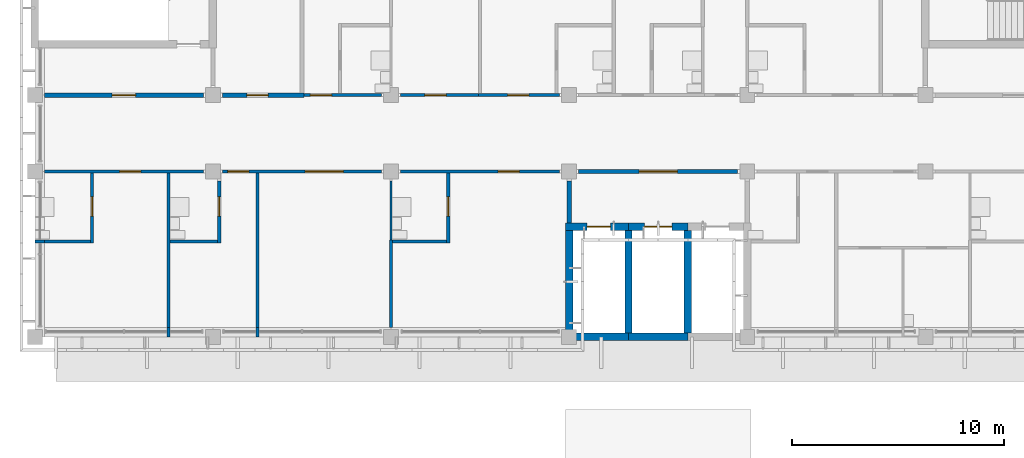
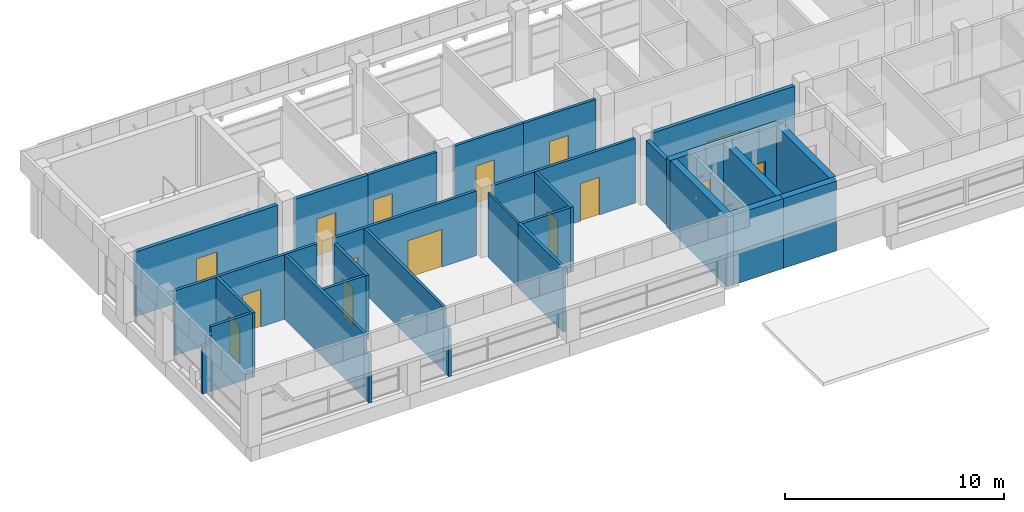
# One storey, part 15 of 36: 30 walls, 15 doors, 15 openings.
"""IFC4 building model written with IfcOpenShell, lengths in metres."""

from ifc_helpers import new_model, si_unit, direction, frame, frame_2d, origin, place, context, subcontext, project, spatial, rectangle, extrude, material, layer, layer_set, type_object, element, fill, save


model = new_model("IFC4")

# Units and contexts
model_context = context("Model", 3, precision=1e-05, world=origin(), true_north=direction((0.0, 1.0)))
body_context = subcontext(model_context, "Body", "Model", "MODEL_VIEW")
ifc_project = project(units=[si_unit("LENGTHUNIT", "METRE"), si_unit("AREAUNIT", "SQUARE_METRE"), si_unit("VOLUMEUNIT", "CUBIC_METRE"), si_unit("PLANEANGLEUNIT", "RADIAN"), si_unit("MASSUNIT", "GRAM", prefix="KILO")], contexts=[model_context])

# Site, building, storey
site_placement = place(None, origin())
site = spatial("IfcSite", under=ifc_project, at=site_placement, CompositionType="ELEMENT")
building_placement = place(site_placement, origin())
building = spatial("IfcBuilding", under=site, at=building_placement, Name="Bougainvillea Quay General Hospital", CompositionType="ELEMENT")
storey_placement = place(building_placement, frame((0.0, 0.0, 32.699951171875)))
storey = spatial("IfcBuildingStorey", under=building, at=storey_placement, Name="L07", CompositionType="ELEMENT", Elevation=32.699951171875)

# Walls
ifc_material_1 = material(Name="Gypsum board partition on steel studs", Category="steel")
ifc_layer_1 = layer(ifc_material_1, 0.10009765625)
ifc_layer_set_1 = layer_set([ifc_layer_1], Name="Gypsum board partition on steel studs")
wall_type_1 = type_object("IfcWallType", Name="Partition 100 Gypsum board partition", PredefinedType="PARTITIONING", material=ifc_layer_set_1)
wall_1_placement = place(storey_placement, frame((58.800048828125, 144.97509765625, 0.0), z_axis=(0.0, 0.0, 1.0), x_axis=(0.0, 1.0, 0.0)))
element("IfcWall", 1, at=wall_1_placement, inside=storey, type_object=wall_type_1, Name="Partition 100 mm", PredefinedType="PARTITIONING", context=body_context, shape_type="SweptSolid", body=[
    extrude(rectangle(XDim=2.77490234375, YDim=0.10009765625, at=frame_2d((1.387451171875, 0.0))), origin(), (0.0, 0.0, 1.0), 3.60009765625),
])
ifc_material_2 = material(Name="Gypsum board partition on steel studs, insulated", Category="steel")
ifc_layer_2 = layer(ifc_material_2, 0.14990234375)
ifc_layer_set_2 = layer_set([ifc_layer_2], Name="Gypsum board partition on steel studs, insulated")
wall_type_2 = type_object("IfcWallType", Name="Partition 150 Gypsum board partition", PredefinedType="PARTITIONING", material=ifc_layer_set_2)
wall_2_placement = place(storey_placement, frame((48.300048828125, 140.39990234375, 0.0), z_axis=(0.0, 0.0, 1.0), x_axis=(0.0, 1.0, 0.0)))
element("IfcWall", 2, at=wall_2_placement, inside=storey, type_object=wall_type_2, Name="Partition 150 mm", PredefinedType="PARTITIONING", context=body_context, shape_type="SweptSolid", body=[
    extrude(rectangle(XDim=0.4501953125, YDim=0.14990234375, at=frame_2d((0.22509765625, 0.0))), origin(), (0.0, 0.0, 1.0), 2.679931640625),
])
wall_3_placement = place(storey_placement, frame((48.300048828125, 140.85009765625, 0.0), z_axis=(0.0, 0.0, 1.0), x_axis=(0.0, 1.0, 0.0)))
element("IfcWall", 3, at=wall_3_placement, inside=storey, type_object=wall_type_2, Name="Partition 150 mm", PredefinedType="PARTITIONING", context=body_context, shape_type="SweptSolid", body=[
    extrude(rectangle(XDim=7.27490234375, YDim=0.14990234375, at=frame_2d((3.637451171875, 0.0))), origin(), (0.0, 0.0, 1.0), 3.60009765625),
])
wall_4_placement = place(storey_placement, frame((52.5, 140.39990234375, 0.0), z_axis=(0.0, 0.0, 1.0), x_axis=(0.0, 1.0, 0.0)))
element("IfcWall", 4, at=wall_4_placement, inside=storey, type_object=wall_type_2, Name="Partition 150 mm", PredefinedType="PARTITIONING", context=body_context, shape_type="SweptSolid", body=[
    extrude(rectangle(XDim=0.4501953125, YDim=0.14990234375, at=frame_2d((0.22509765625, 0.0))), origin(), (0.0, 0.0, 1.0), 2.679931640625),
])
wall_5_placement = place(storey_placement, frame((52.5, 140.85009765625, 0.0), z_axis=(0.0, 0.0, 1.0), x_axis=(0.0, 1.0, 0.0)))
element("IfcWall", 5, at=wall_5_placement, inside=storey, type_object=wall_type_2, Name="Partition 150 mm", PredefinedType="PARTITIONING", context=body_context, shape_type="SweptSolid", body=[
    extrude(rectangle(XDim=7.27490234375, YDim=0.14990234375, at=frame_2d((3.637451171875, 0.0))), origin(), (0.0, 0.0, 1.0), 3.60009765625),
])
wall_6_placement = place(storey_placement, frame((58.800048828125, 140.85009765625, 0.0), z_axis=(0.0, 0.0, 1.0), x_axis=(0.0, 1.0, 0.0)))
element("IfcWall", 6, at=wall_6_placement, inside=storey, type_object=wall_type_2, Name="Partition 150 mm", PredefinedType="PARTITIONING", context=body_context, shape_type="SweptSolid", body=[
    extrude(rectangle(XDim=4.125, YDim=0.14990234375, at=frame_2d((2.0625, 0.0))), origin(), (0.0, 0.0, 1.0), 3.60009765625),
])

# Wall, opening, door
wall_7_placement = place(storey_placement, frame((44.699951171875, 144.824951171875, 0.0), z_axis=(0.0, 0.0, 1.0), x_axis=(0.0, 1.0, 0.0)))
wall_7 = element("IfcWall", 7, at=wall_7_placement, inside=storey, type_object=wall_type_2, Name="Partition 150 mm", PredefinedType="PARTITIONING", context=body_context, shape_type="SweptSolid", body=[
    extrude(rectangle(XDim=3.300048828125, YDim=0.14990234375, at=frame_2d((1.64990234375, 0.0))), origin(), (0.0, 0.0, 1.0), 3.60009765625),
])
opening_1_placement = place(wall_7_placement, frame((1.27490234375, 0.0, 0.0)))
opening_1 = element("IfcOpeningElement", 8, at=opening_1_placement, cuts=wall_7, Name="Opening L07.003", PredefinedType="OPENING", context=body_context, shape_type="SweptSolid", body=[
    extrude(rectangle(XDim=0.89990234375, YDim=2.10009765625, at=frame_2d((0.449951171875, 1.050048828125))), frame((0.0, 0.0849609375, 0.0), z_axis=(0.0, -1.0, 0.0), x_axis=(1.0, 0.0, 0.0)), (0.0, 0.0, 1.0), 0.169921875),
])
ifc_material_3 = material(Name="Solid-core timber door leaf in steel frame", Category="steel")
door_type_1 = type_object("IfcDoorType", Name="Single leaf door 900x2100", OperationType="NOTDEFINED", PredefinedType="DOOR", material=ifc_material_3)
door_1_placement = place(opening_1_placement, origin())
door_1 = element("IfcDoor", 9, at=door_1_placement, inside=storey, type_object=door_type_1, Name="DT07 L07.003", OperationType="SINGLE_SWING_RIGHT", OverallHeight=2.10009765625, OverallWidth=0.89990234375, PredefinedType="DOOR", context=body_context, shape_type="SweptSolid", body=[
    extrude(rectangle(XDim=0.89990234375, YDim=2.10009765625, at=frame_2d((0.449951171875, 1.050048828125))), frame((0.0, 0.02490234375, 0.0), z_axis=(0.0, -1.0, 0.0), x_axis=(1.0, 0.0, 0.0)), (0.0, 0.0, 1.0), 0.050048828125),
])
fill(opening_1, door_1)

wall_8_placement = place(storey_placement, frame((50.699951171875, 144.824951171875, 0.0), z_axis=(0.0, 0.0, 1.0), x_axis=(0.0, 1.0, 0.0)))
wall_8 = element("IfcWall", 10, at=wall_8_placement, inside=storey, type_object=wall_type_2, Name="Partition 150 mm", PredefinedType="PARTITIONING", context=body_context, shape_type="SweptSolid", body=[
    extrude(rectangle(XDim=2.925048828125, YDim=0.14990234375, at=frame_2d((1.46240234375, 0.0))), origin(), (0.0, 0.0, 1.0), 3.60009765625),
])
opening_2_placement = place(wall_8_placement, frame((1.27490234375, 0.0, 0.0)))
opening_2 = element("IfcOpeningElement", 11, at=opening_2_placement, cuts=wall_8, Name="Opening L07.005", PredefinedType="OPENING", context=body_context, shape_type="SweptSolid", body=[
    extrude(rectangle(XDim=0.89990234375, YDim=2.10009765625, at=frame_2d((0.449951171875, 1.050048828125))), frame((0.0, 0.0849609375, 0.0), z_axis=(0.0, -1.0, 0.0), x_axis=(1.0, 0.0, 0.0)), (0.0, 0.0, 1.0), 0.169921875),
])
door_2_placement = place(opening_2_placement, origin())
door_2 = element("IfcDoor", 12, at=door_2_placement, inside=storey, type_object=door_type_1, Name="DT07 L07.005", OperationType="SINGLE_SWING_RIGHT", OverallHeight=2.10009765625, OverallWidth=0.89990234375, PredefinedType="DOOR", context=body_context, shape_type="SweptSolid", body=[
    extrude(rectangle(XDim=0.89990234375, YDim=2.10009765625, at=frame_2d((0.449951171875, 1.050048828125))), frame((0.0, 0.02490234375, 0.0), z_axis=(0.0, -1.0, 0.0), x_axis=(1.0, 0.0, 0.0)), (0.0, 0.0, 1.0), 0.050048828125),
])
fill(opening_2, door_2)

wall_9_placement = place(storey_placement, frame((61.5, 144.824951171875, 0.0), z_axis=(0.0, 0.0, 1.0), x_axis=(0.0, 1.0, 0.0)))
wall_9 = element("IfcWall", 13, at=wall_9_placement, inside=storey, type_object=wall_type_2, Name="Partition 150 mm", PredefinedType="PARTITIONING", context=body_context, shape_type="SweptSolid", body=[
    extrude(rectangle(XDim=3.300048828125, YDim=0.14990234375, at=frame_2d((1.64990234375, 0.0))), origin(), (0.0, 0.0, 1.0), 3.60009765625),
])
opening_3_placement = place(wall_9_placement, frame((1.27490234375, 0.0, 0.0)))
opening_3 = element("IfcOpeningElement", 14, at=opening_3_placement, cuts=wall_9, Name="Opening L07.008", PredefinedType="OPENING", context=body_context, shape_type="SweptSolid", body=[
    extrude(rectangle(XDim=0.89990234375, YDim=2.10009765625, at=frame_2d((0.449951171875, 1.050048828125))), frame((0.0, 0.0849609375, 0.0), z_axis=(0.0, -1.0, 0.0), x_axis=(1.0, 0.0, 0.0)), (0.0, 0.0, 1.0), 0.169921875),
])
door_3_placement = place(opening_3_placement, origin())
door_3 = element("IfcDoor", 15, at=door_3_placement, inside=storey, type_object=door_type_1, Name="DT07 L07.008", OperationType="SINGLE_SWING_RIGHT", OverallHeight=2.10009765625, OverallWidth=0.89990234375, PredefinedType="DOOR", context=body_context, shape_type="SweptSolid", body=[
    extrude(rectangle(XDim=0.89990234375, YDim=2.10009765625, at=frame_2d((0.449951171875, 1.050048828125))), frame((0.0, 0.02490234375, 0.0), z_axis=(0.0, -1.0, 0.0), x_axis=(1.0, 0.0, 0.0)), (0.0, 0.0, 1.0), 0.050048828125),
])
fill(opening_3, door_3)

# Walls
wall_10_placement = place(storey_placement, frame((42.0, 144.89990234375, 0.0), z_axis=(0.0, 0.0, 1.0), x_axis=(1.0, 0.0, 0.0)))
element("IfcWall", 16, at=wall_10_placement, inside=storey, type_object=wall_type_2, Name="Partition 150 mm", PredefinedType="PARTITIONING", context=body_context, shape_type="SweptSolid", body=[
    extrude(rectangle(XDim=0.449951171875, YDim=0.14990234375, at=frame_2d((0.22509765625, 0.0))), origin(), (0.0, 0.0, 1.0), 2.679931640625),
])
wall_11_placement = place(storey_placement, frame((42.449951171875, 144.89990234375, 0.0), z_axis=(0.0, 0.0, 1.0), x_axis=(1.0, 0.0, 0.0)))
element("IfcWall", 17, at=wall_11_placement, inside=storey, type_object=wall_type_2, Name="Partition 150 mm", PredefinedType="PARTITIONING", context=body_context, shape_type="SweptSolid", body=[
    extrude(rectangle(XDim=2.175048828125, YDim=0.14990234375, at=frame_2d((1.08740234375, 0.0))), origin(), (0.0, 0.0, 1.0), 3.60009765625),
])
wall_12_placement = place(storey_placement, frame((58.875, 144.89990234375, 0.0), z_axis=(0.0, 0.0, 1.0), x_axis=(1.0, 0.0, 0.0)))
element("IfcWall", 18, at=wall_12_placement, inside=storey, type_object=wall_type_2, Name="Partition 150 mm", PredefinedType="PARTITIONING", context=body_context, shape_type="SweptSolid", body=[
    extrude(rectangle(XDim=2.550048828125, YDim=0.14990234375, at=frame_2d((1.27490234375, 0.0))), origin(), (0.0, 0.0, 1.0), 3.60009765625),
])
wall_13_placement = place(storey_placement, frame((48.375, 144.89990234375, 0.0), z_axis=(0.0, 0.0, 1.0), x_axis=(1.0, 0.0, 0.0)))
element("IfcWall", 19, at=wall_13_placement, inside=storey, type_object=wall_type_2, Name="Partition 150 mm", PredefinedType="PARTITIONING", context=body_context, shape_type="SweptSolid", body=[
    extrude(rectangle(XDim=2.25, YDim=0.14990234375, at=frame_2d((1.125, 0.0))), origin(), (0.0, 0.0, 1.0), 3.60009765625),
])

# Wall, opening, door
ifc_layer_3 = layer(ifc_material_2, 0.14990234375)
ifc_layer_set_3 = layer_set([ifc_layer_3], Name="Gypsum board partition on steel studs, insulated")
wall_type_3 = type_object("IfcWallType", Name="Partition 150 Gypsum board partition EI 30", PredefinedType="PARTITIONING", material=ifc_layer_set_3)
wall_14_placement = place(storey_placement, frame((66.75, 148.199951171875, 0.0), z_axis=(0.0, 0.0, 1.0), x_axis=(-1.0, 0.0, 0.0)))
wall_14 = element("IfcWall", 20, at=wall_14_placement, inside=storey, type_object=wall_type_3, Name="Partition 150 mm EI 30", PredefinedType="PARTITIONING", context=body_context, shape_type="SweptSolid", body=[
    extrude(rectangle(XDim=7.5, YDim=0.14990234375, at=frame_2d((3.75, 0.0))), origin(), (0.0, 0.0, 1.0), 3.60009765625),
])
opening_4_placement = place(wall_14_placement, frame((1.89990234375, 0.0, 0.0)))
opening_4 = element("IfcOpeningElement", 21, at=opening_4_placement, cuts=wall_14, Name="Opening L07.007", PredefinedType="OPENING", context=body_context, shape_type="SweptSolid", body=[
    extrude(rectangle(XDim=1.0, YDim=2.10009765625, at=frame_2d((0.5, 1.050048828125))), frame((0.0, 0.0849609375, 0.0), z_axis=(0.0, -1.0, 0.0), x_axis=(1.0, 0.0, 0.0)), (0.0, 0.0, 1.0), 0.169921875),
])
door_type_2 = type_object("IfcDoorType", Name="Single leaf door 1000x2100 FD30S", OperationType="NOTDEFINED", PredefinedType="DOOR", material=ifc_material_3)
door_4_placement = place(opening_4_placement, origin())
door_4 = element("IfcDoor", 22, at=door_4_placement, inside=storey, type_object=door_type_2, Name="DT15 L07.007", OperationType="SINGLE_SWING_LEFT", OverallHeight=2.10009765625, OverallWidth=1.0, PredefinedType="DOOR", context=body_context, shape_type="SweptSolid", body=[
    extrude(rectangle(XDim=1.0, YDim=2.10009765625, at=frame_2d((0.5, 1.050048828125))), frame((0.0, 0.02490234375, 0.0), z_axis=(0.0, -1.0, 0.0), x_axis=(1.0, 0.0, 0.0)), (0.0, 0.0, 1.0), 0.050048828125),
])
fill(opening_4, door_4)

# Wall, openings, doors
wall_15_placement = place(storey_placement, frame((58.35009765625, 148.199951171875, 0.0), z_axis=(0.0, 0.0, 1.0), x_axis=(-1.0, 0.0, 0.0)))
wall_15 = element("IfcWall", 23, at=wall_15_placement, inside=storey, type_object=wall_type_3, Name="Partition 150 mm EI 30", PredefinedType="PARTITIONING", context=body_context, shape_type="SweptSolid", body=[
    extrude(rectangle(XDim=7.5, YDim=0.14990234375, at=frame_2d((3.75, 0.0))), origin(), (0.0, 0.0, 1.0), 3.60009765625),
])
opening_5_placement = place(wall_15_placement, frame((6.25, 0.0, 0.0)))
opening_5 = element("IfcOpeningElement", 24, at=opening_5_placement, cuts=wall_15, Name="Opening L07.004", PredefinedType="OPENING", context=body_context, shape_type="SweptSolid", body=[
    extrude(rectangle(XDim=1.0, YDim=2.10009765625, at=frame_2d((0.5, 1.050048828125))), frame((0.0, 0.0849609375, 0.0), z_axis=(0.0, -1.0, 0.0), x_axis=(1.0, 0.0, 0.0)), (0.0, 0.0, 1.0), 0.169921875),
])
opening_6_placement = place(wall_15_placement, frame((1.800048828125, 0.0, 0.0)))
opening_6 = element("IfcOpeningElement", 25, at=opening_6_placement, cuts=wall_15, Name="Opening L07.006", PredefinedType="OPENING", context=body_context, shape_type="SweptSolid", body=[
    extrude(rectangle(XDim=1.800048828125, YDim=2.10009765625, at=frame_2d((0.89990234375, 1.050048828125))), frame((0.0, 0.0849609375, 0.0), z_axis=(0.0, -1.0, 0.0), x_axis=(1.0, 0.0, 0.0)), (0.0, 0.0, 1.0), 0.169921875),
])
ifc_material_4 = material(Name="Solid-core timber door leaves in steel frame", Category="steel")
door_type_3 = type_object("IfcDoorType", Name="Double leaf door 1800x2100 FD30S", OperationType="DOUBLE_DOOR_SINGLE_SWING", PredefinedType="DOOR", material=ifc_material_4)
door_5_placement = place(opening_6_placement, origin())
door_5 = element("IfcDoor", 26, at=door_5_placement, inside=storey, type_object=door_type_3, Name="DT17 L07.006", OperationType="DOUBLE_DOOR_SINGLE_SWING", OverallHeight=2.10009765625, OverallWidth=1.800048828125, PredefinedType="DOOR", context=body_context, shape_type="SweptSolid", body=[
    extrude(rectangle(XDim=1.800048828125, YDim=2.10009765625, at=frame_2d((0.89990234375, 1.050048828125))), frame((0.0, 0.02490234375, 0.0), z_axis=(0.0, -1.0, 0.0), x_axis=(1.0, 0.0, 0.0)), (0.0, 0.0, 1.0), 0.050048828125),
])
fill(opening_6, door_5)
door_6_placement = place(opening_5_placement, origin())
door_6 = element("IfcDoor", 27, at=door_6_placement, inside=storey, type_object=door_type_2, Name="DT15 L07.004", OperationType="SINGLE_SWING_RIGHT", OverallHeight=2.10009765625, OverallWidth=1.0, PredefinedType="DOOR", context=body_context, shape_type="SweptSolid", body=[
    extrude(rectangle(XDim=1.0, YDim=2.10009765625, at=frame_2d((0.5, 1.050048828125))), frame((0.0, 0.02490234375, 0.0), z_axis=(0.0, -1.0, 0.0), x_axis=(1.0, 0.0, 0.0)), (0.0, 0.0, 1.0), 0.050048828125),
])
fill(opening_5, door_6)

# Wall, opening, door
wall_16_placement = place(storey_placement, frame((49.949951171875, 148.199951171875, 0.0), z_axis=(0.0, 0.0, 1.0), x_axis=(-1.0, 0.0, 0.0)))
wall_16 = element("IfcWall", 28, at=wall_16_placement, inside=storey, type_object=wall_type_3, Name="Partition 150 mm EI 30", PredefinedType="PARTITIONING", context=body_context, shape_type="SweptSolid", body=[
    extrude(rectangle(XDim=7.5, YDim=0.14990234375, at=frame_2d((3.75, 0.0))), origin(), (0.0, 0.0, 1.0), 3.60009765625),
])
opening_7_placement = place(wall_16_placement, frame((2.949951171875, 0.0, 0.0)))
opening_7 = element("IfcOpeningElement", 29, at=opening_7_placement, cuts=wall_16, Name="Opening L07.002", PredefinedType="OPENING", context=body_context, shape_type="SweptSolid", body=[
    extrude(rectangle(XDim=1.0, YDim=2.10009765625, at=frame_2d((0.5, 1.050048828125))), frame((0.0, 0.0849609375, 0.0), z_axis=(0.0, -1.0, 0.0), x_axis=(1.0, 0.0, 0.0)), (0.0, 0.0, 1.0), 0.169921875),
])
door_7_placement = place(opening_7_placement, origin())
door_7 = element("IfcDoor", 30, at=door_7_placement, inside=storey, type_object=door_type_2, Name="DT15 L07.002", OperationType="SINGLE_SWING_LEFT", OverallHeight=2.10009765625, OverallWidth=1.0, PredefinedType="DOOR", context=body_context, shape_type="SweptSolid", body=[
    extrude(rectangle(XDim=1.0, YDim=2.10009765625, at=frame_2d((0.5, 1.050048828125))), frame((0.0, 0.02490234375, 0.0), z_axis=(0.0, -1.0, 0.0), x_axis=(1.0, 0.0, 0.0)), (0.0, 0.0, 1.0), 0.050048828125),
])
fill(opening_7, door_7)

wall_17_placement = place(storey_placement, frame((66.75, 151.800048828125, 0.0), z_axis=(0.0, 0.0, 1.0), x_axis=(-1.0, 0.0, 0.0)))
wall_17 = element("IfcWall", 31, at=wall_17_placement, inside=storey, type_object=wall_type_3, Name="Partition 150 mm EI 30", PredefinedType="PARTITIONING", context=body_context, shape_type="SweptSolid", body=[
    extrude(rectangle(XDim=3.824951171875, YDim=0.14990234375, at=frame_2d((1.91259765625, 0.0))), origin(), (0.0, 0.0, 1.0), 3.60009765625),
])
opening_8_placement = place(wall_17_placement, frame((1.449951171875, 0.0, 0.0)))
opening_8 = element("IfcOpeningElement", 32, at=opening_8_placement, cuts=wall_17, Name="Opening L07.012", PredefinedType="OPENING", context=body_context, shape_type="SweptSolid", body=[
    extrude(rectangle(XDim=1.0, YDim=2.10009765625, at=frame_2d((0.5, 1.050048828125))), frame((0.0, 0.0849609375, 0.0), z_axis=(0.0, -1.0, 0.0), x_axis=(1.0, 0.0, 0.0)), (0.0, 0.0, 1.0), 0.169921875),
])
door_8_placement = place(opening_8_placement, frame((1.0, 0.0, 0.0), z_axis=(0.0, 0.0, 1.0), x_axis=(-1.0, 0.0, 0.0)))
door_8 = element("IfcDoor", 33, at=door_8_placement, inside=storey, type_object=door_type_2, Name="DT15 L07.012", OperationType="SINGLE_SWING_LEFT", OverallHeight=2.10009765625, OverallWidth=1.0, PredefinedType="DOOR", context=body_context, shape_type="SweptSolid", body=[
    extrude(rectangle(XDim=1.0, YDim=2.10009765625, at=frame_2d((0.5, 1.050048828125))), frame((0.0, 0.02490234375, 0.0), z_axis=(0.0, -1.0, 0.0), x_axis=(1.0, 0.0, 0.0)), (0.0, 0.0, 1.0), 0.050048828125),
])
fill(opening_8, door_8)

wall_18_placement = place(storey_placement, frame((54.699951171875, 151.800048828125, 0.0), z_axis=(0.0, 0.0, 1.0), x_axis=(1.0, 0.0, 0.0)))
wall_18 = element("IfcWall", 34, at=wall_18_placement, inside=storey, type_object=wall_type_3, Name="Partition 150 mm EI 30", PredefinedType="PARTITIONING", context=body_context, shape_type="SweptSolid", body=[
    extrude(rectangle(XDim=3.650146484375, YDim=0.14990234375, at=frame_2d((1.8251953125, 0.0))), origin(), (0.0, 0.0, 1.0), 3.60009765625),
])
opening_9_placement = place(wall_18_placement, frame((0.300048828125, 0.0, 0.0)))
opening_9 = element("IfcOpeningElement", 35, at=opening_9_placement, cuts=wall_18, Name="Opening L07.009", PredefinedType="OPENING", context=body_context, shape_type="SweptSolid", body=[
    extrude(rectangle(XDim=1.0, YDim=2.10009765625, at=frame_2d((0.5, 1.050048828125))), frame((0.0, 0.0849609375, 0.0), z_axis=(0.0, -1.0, 0.0), x_axis=(1.0, 0.0, 0.0)), (0.0, 0.0, 1.0), 0.169921875),
])
door_9_placement = place(opening_9_placement, origin())
door_9 = element("IfcDoor", 36, at=door_9_placement, inside=storey, type_object=door_type_2, Name="DT15 L07.009", OperationType="SINGLE_SWING_LEFT", OverallHeight=2.10009765625, OverallWidth=1.0, PredefinedType="DOOR", context=body_context, shape_type="SweptSolid", body=[
    extrude(rectangle(XDim=1.0, YDim=2.10009765625, at=frame_2d((0.5, 1.050048828125))), frame((0.0, 0.02490234375, 0.0), z_axis=(0.0, -1.0, 0.0), x_axis=(1.0, 0.0, 0.0)), (0.0, 0.0, 1.0), 0.050048828125),
])
fill(opening_9, door_9)

ifc_layer_4 = layer(ifc_material_2, 0.14990234375)
ifc_layer_set_4 = layer_set([ifc_layer_4], Name="Gypsum board partition on steel studs, insulated")
wall_type_4 = type_object("IfcWallType", Name="Partition 150 Gypsum board partition EI 60", PredefinedType="PARTITIONING", material=ifc_layer_set_4)
wall_19_placement = place(storey_placement, frame((59.25, 151.800048828125, 0.0), z_axis=(0.0, 0.0, 1.0), x_axis=(1.0, 0.0, 0.0)))
wall_19 = element("IfcWall", 37, at=wall_19_placement, inside=storey, type_object=wall_type_4, Name="Partition 150 mm EI 60", PredefinedType="PARTITIONING", context=body_context, shape_type="SweptSolid", body=[
    extrude(rectangle(XDim=3.675048828125, YDim=0.14990234375, at=frame_2d((1.83740234375, 0.0))), origin(), (0.0, 0.0, 1.0), 3.60009765625),
])
opening_10_placement = place(wall_19_placement, frame((1.14990234375, 0.0, 0.0)))
opening_10 = element("IfcOpeningElement", 38, at=opening_10_placement, cuts=wall_19, Name="Opening L07.011", PredefinedType="OPENING", context=body_context, shape_type="SweptSolid", body=[
    extrude(rectangle(XDim=1.0, YDim=2.10009765625, at=frame_2d((0.5, 1.050048828125))), frame((0.0, 0.0849609375, 0.0), z_axis=(0.0, -1.0, 0.0), x_axis=(1.0, 0.0, 0.0)), (0.0, 0.0, 1.0), 0.169921875),
])
door_type_4 = type_object("IfcDoorType", Name="Single leaf door 1000x2100 FD60", OperationType="NOTDEFINED", PredefinedType="DOOR", material=ifc_material_3)
door_10_placement = place(opening_10_placement, origin())
door_10 = element("IfcDoor", 39, at=door_10_placement, inside=storey, type_object=door_type_4, Name="DT14 L07.011", OperationType="SINGLE_SWING_LEFT", OverallHeight=2.10009765625, OverallWidth=1.0, PredefinedType="DOOR", context=body_context, shape_type="SweptSolid", body=[
    extrude(rectangle(XDim=1.0, YDim=2.10009765625, at=frame_2d((0.5, 1.050048828125))), frame((0.0, 0.02490234375, 0.0), z_axis=(0.0, -1.0, 0.0), x_axis=(1.0, 0.0, 0.0)), (0.0, 0.0, 1.0), 0.050048828125),
])
fill(opening_10, door_10)

ifc_material_5 = material(Name="Fire-rated autoclaved aerated block wall, plastered")
ifc_layer_5 = layer(ifc_material_5, 0.199951171875)
ifc_layer_set_5 = layer_set([ifc_layer_5], Name="Fire-rated autoclaved aerated block wall, plastered")
wall_type_5 = type_object("IfcWallType", Name="Partition 200 Fire-rated autoclaved aerated block wall EI 120", PredefinedType="SOLIDWALL", material=ifc_layer_set_5)
wall_20_placement = place(storey_placement, frame((42.449951171875, 151.800048828125, 0.0), z_axis=(0.0, 0.0, 1.0), x_axis=(1.0, 0.0, 0.0)))
wall_20 = element("IfcWall", 40, at=wall_20_placement, inside=storey, type_object=wall_type_5, Name="Partition 200 mm EI 120", PredefinedType="SOLIDWALL", context=body_context, shape_type="SweptSolid", body=[
    extrude(rectangle(XDim=7.5, YDim=0.199951171875, at=frame_2d((3.75, 0.0))), origin(), (0.0, 0.0, 1.0), 3.60009765625),
])
opening_11_placement = place(wall_20_placement, frame((3.199951171875, 0.0, 0.0)))
opening_11 = element("IfcOpeningElement", 41, at=opening_11_placement, cuts=wall_20, Name="Opening L07.073", PredefinedType="OPENING", context=body_context, shape_type="SweptSolid", body=[
    extrude(rectangle(XDim=1.10009765625, YDim=2.10009765625, at=frame_2d((0.550048828125, 1.050048828125))), frame((0.0, 0.10986328125, 0.0), z_axis=(0.0, -1.0, 0.0), x_axis=(1.0, 0.0, 0.0)), (0.0, 0.0, 1.0), 0.219970703125),
])
ifc_material_6 = material(Name="Steel fire door leaf in steel frame", Category="steel")
door_type_5 = type_object("IfcDoorType", Name="Steel single leaf door 1100x2100 FD60", OperationType="NOTDEFINED", PredefinedType="DOOR", material=ifc_material_6)
door_11_placement = place(opening_11_placement, origin())
door_11 = element("IfcDoor", 42, at=door_11_placement, inside=storey, type_object=door_type_5, Name="DT04 L07.073", OperationType="SINGLE_SWING_RIGHT", OverallHeight=2.10009765625, OverallWidth=1.10009765625, PredefinedType="DOOR", context=body_context, shape_type="SweptSolid", body=[
    extrude(rectangle(XDim=1.10009765625, YDim=2.10009765625, at=frame_2d((0.550048828125, 1.050048828125))), frame((0.0, 0.02490234375, 0.0), z_axis=(0.0, -1.0, 0.0), x_axis=(1.0, 0.0, 0.0)), (0.0, 0.0, 1.0), 0.050048828125),
])
fill(opening_11, door_11)

wall_21_placement = place(storey_placement, frame((50.85009765625, 151.800048828125, 0.0), z_axis=(0.0, 0.0, 1.0), x_axis=(1.0, 0.0, 0.0)))
wall_21 = element("IfcWall", 43, at=wall_21_placement, inside=storey, type_object=wall_type_5, Name="Partition 200 mm EI 120", PredefinedType="SOLIDWALL", context=body_context, shape_type="SweptSolid", body=[
    extrude(rectangle(XDim=3.849853515625, YDim=0.199951171875, at=frame_2d((1.9248046875, 0.0))), origin(), (0.0, 0.0, 1.0), 3.60009765625),
])
opening_12_placement = place(wall_21_placement, frame((1.14990234375, 0.0, 0.0)))
opening_12 = element("IfcOpeningElement", 44, at=opening_12_placement, cuts=wall_21, Name="Opening L07.068", PredefinedType="OPENING", context=body_context, shape_type="SweptSolid", body=[
    extrude(rectangle(XDim=1.0, YDim=2.10009765625, at=frame_2d((0.5, 1.050048828125))), frame((0.0, 0.10986328125, 0.0), z_axis=(0.0, -1.0, 0.0), x_axis=(1.0, 0.0, 0.0)), (0.0, 0.0, 1.0), 0.219970703125),
])
door_type_6 = type_object("IfcDoorType", Name="Steel single leaf door 1000x2100 FD90", OperationType="NOTDEFINED", PredefinedType="DOOR", material=ifc_material_6)
door_12_placement = place(opening_12_placement, origin())
door_12 = element("IfcDoor", 45, at=door_12_placement, inside=storey, type_object=door_type_6, Name="DT11 L07.068", OperationType="SINGLE_SWING_LEFT", OverallHeight=2.10009765625, OverallWidth=1.0, PredefinedType="DOOR", context=body_context, shape_type="SweptSolid", body=[
    extrude(rectangle(XDim=1.0, YDim=2.10009765625, at=frame_2d((0.5, 1.050048828125))), frame((0.0, 0.02490234375, 0.0), z_axis=(0.0, -1.0, 0.0), x_axis=(1.0, 0.0, 0.0)), (0.0, 0.0, 1.0), 0.050048828125),
])
fill(opening_12, door_12)

wall_22_placement = place(storey_placement, frame((67.64990234375, 148.199951171875, 0.0), z_axis=(0.0, 0.0, 1.0), x_axis=(1.0, 0.0, 0.0)))
wall_22 = element("IfcWall", 46, at=wall_22_placement, inside=storey, type_object=wall_type_5, Name="Partition 200 mm EI 120", PredefinedType="SOLIDWALL", context=body_context, shape_type="SweptSolid", body=[
    extrude(rectangle(XDim=7.5, YDim=0.199951171875, at=frame_2d((3.75, 0.0))), origin(), (0.0, 0.0, 1.0), 3.60009765625),
])
opening_13_placement = place(wall_22_placement, frame((2.85009765625, 0.0, 0.0)))
opening_13 = element("IfcOpeningElement", 47, at=opening_13_placement, cuts=wall_22, Name="Opening L07.070", PredefinedType="OPENING", context=body_context, shape_type="SweptSolid", body=[
    extrude(rectangle(XDim=1.800048828125, YDim=2.10009765625, at=frame_2d((0.89990234375, 1.050048828125))), frame((0.0, 0.10986328125, 0.0), z_axis=(0.0, -1.0, 0.0), x_axis=(1.0, 0.0, 0.0)), (0.0, 0.0, 1.0), 0.219970703125),
])
ifc_material_7 = material(Name="Steel fire door leaves in steel frame", Category="steel")
door_type_7 = type_object("IfcDoorType", Name="Steel double leaf door 1800x2100 FD60", OperationType="DOUBLE_DOOR_SINGLE_SWING", PredefinedType="DOOR", material=ifc_material_7)
door_13_placement = place(opening_13_placement, frame((1.800048828125, 0.0, 0.0), z_axis=(0.0, 0.0, 1.0), x_axis=(-1.0, 0.0, 0.0)))
door_13 = element("IfcDoor", 48, at=door_13_placement, inside=storey, type_object=door_type_7, Name="DT05 L07.070", OperationType="DOUBLE_DOOR_SINGLE_SWING", OverallHeight=2.10009765625, OverallWidth=1.800048828125, PredefinedType="DOOR", context=body_context, shape_type="SweptSolid", body=[
    extrude(rectangle(XDim=1.800048828125, YDim=2.10009765625, at=frame_2d((0.89990234375, 1.050048828125))), frame((0.0, 0.02490234375, 0.0), z_axis=(0.0, -1.0, 0.0), x_axis=(1.0, 0.0, 0.0)), (0.0, 0.0, 1.0), 0.050048828125),
])
fill(opening_13, door_13)

# Wall
wall_23_placement = place(storey_placement, frame((67.199951171875, 145.77490234375, 0.0), z_axis=(0.0, 0.0, 1.0), x_axis=(0.0, 1.0, 0.0)))
element("IfcWall", 49, at=wall_23_placement, inside=storey, type_object=wall_type_5, Name="Partition 200 mm EI 120", PredefinedType="SOLIDWALL", context=body_context, shape_type="SweptSolid", body=[
    extrude(rectangle(XDim=1.97509765625, YDim=0.199951171875, at=frame_2d((0.987548828125, 0.0))), origin(), (0.0, 0.0, 1.0), 3.60009765625),
])

# Wall, opening, door
ifc_material_8 = material(Name="Concrete C40", Category="concrete")
ifc_layer_6 = layer(ifc_material_8, 0.35009765625)
ifc_layer_set_6 = layer_set([ifc_layer_6], Name="Concrete C40")
wall_type_6 = type_object("IfcWallType", Name="RC SHEAR WALL 350 C40", PredefinedType="SHEAR", material=ifc_layer_set_6)
wall_24_placement = place(storey_placement, frame((67.02490234375, 145.60009765625, 0.0), z_axis=(0.0, 0.0, 1.0), x_axis=(1.0, 0.0, 0.0)))
wall_24 = element("IfcWall", 50, at=wall_24_placement, inside=storey, type_object=wall_type_6, Name="Shear wall L07", PredefinedType="SHEAR", context=body_context, shape_type="SweptSolid", body=[
    extrude(rectangle(XDim=2.97509765625, YDim=0.35009765625, at=frame_2d((1.487548828125, 0.0))), origin(), (0.0, 0.0, 1.0), 3.900146484375),
])
opening_14_placement = place(wall_24_placement, frame((1.02490234375, 0.0, 0.0)))
opening_14 = element("IfcOpeningElement", 51, at=opening_14_placement, cuts=wall_24, Name="Opening LD-A1.1-L07", PredefinedType="OPENING", context=body_context, shape_type="SweptSolid", body=[
    extrude(rectangle(XDim=1.10009765625, YDim=2.10009765625, at=frame_2d((0.550048828125, 1.050048828125))), frame((0.0, 0.18505859375, 0.0), z_axis=(0.0, -1.0, 0.0), x_axis=(1.0, 0.0, 0.0)), (0.0, 0.0, 1.0), 0.3701171875),
])
ifc_material_9 = material(Name="Stainless steel centre-opening landing door", Category="steel")
door_type_8 = type_object("IfcDoorType", Name="Lift landing door 1100x2100 E 120", OperationType="DOUBLE_DOOR_SLIDING", PredefinedType="DOOR", material=ifc_material_9)
door_14_placement = place(opening_14_placement, origin())
door_14 = element("IfcDoor", 52, at=door_14_placement, inside=storey, type_object=door_type_8, Name="Lift landing door LB-A1-1 L07", OperationType="DOUBLE_DOOR_SLIDING", OverallHeight=2.10009765625, OverallWidth=1.10009765625, PredefinedType="DOOR", context=body_context, shape_type="SweptSolid", body=[
    extrude(rectangle(XDim=1.10009765625, YDim=2.10009765625, at=frame_2d((0.550048828125, 1.050048828125))), frame((0.0, 0.02490234375, 0.0), z_axis=(0.0, -1.0, 0.0), x_axis=(1.0, 0.0, 0.0)), (0.0, 0.0, 1.0), 0.050048828125),
])
fill(opening_14, door_14)

# Walls
wall_25_placement = place(storey_placement, frame((67.199951171875, 140.22509765625, 0.0), z_axis=(0.0, 0.0, 1.0), x_axis=(0.0, 1.0, 0.0)))
element("IfcWall", 53, at=wall_25_placement, inside=storey, type_object=wall_type_6, Name="Shear wall L07", PredefinedType="SHEAR", context=body_context, shape_type="SweptSolid", body=[
    extrude(rectangle(XDim=5.199951171875, YDim=0.35009765625, at=frame_2d((2.60009765625, 0.0))), origin(), (0.0, 0.0, 1.0), 3.900146484375),
])
wall_26_placement = place(storey_placement, frame((67.375, 140.39990234375, 0.0), z_axis=(0.0, 0.0, 1.0), x_axis=(1.0, 0.0, 0.0)))
element("IfcWall", 54, at=wall_26_placement, inside=storey, type_object=wall_type_6, Name="Shear wall L07", PredefinedType="SHEAR", context=body_context, shape_type="SweptSolid", body=[
    extrude(rectangle(XDim=2.625, YDim=0.35009765625, at=frame_2d((1.3125, 0.0))), origin(), (0.0, 0.0, 1.0), 3.900146484375),
])
wall_27_placement = place(storey_placement, frame((70.0, 140.39990234375, 0.0), z_axis=(0.0, 0.0, 1.0), x_axis=(1.0, 0.0, 0.0)))
element("IfcWall", 55, at=wall_27_placement, inside=storey, type_object=wall_type_6, Name="Shear wall L07", PredefinedType="SHEAR", context=body_context, shape_type="SweptSolid", body=[
    extrude(rectangle(XDim=2.800048828125, YDim=0.35009765625, at=frame_2d((1.39990234375, 0.0))), origin(), (0.0, 0.0, 1.0), 3.900146484375),
])
wall_28_placement = place(storey_placement, frame((70.0, 140.574951171875, 0.0), z_axis=(0.0, 0.0, 1.0), x_axis=(0.0, 1.0, 0.0)))
element("IfcWall", 56, at=wall_28_placement, inside=storey, type_object=wall_type_6, Name="Shear wall L07", PredefinedType="SHEAR", context=body_context, shape_type="SweptSolid", body=[
    extrude(rectangle(XDim=4.85009765625, YDim=0.35009765625, at=frame_2d((2.425048828125, 0.0))), origin(), (0.0, 0.0, 1.0), 3.900146484375),
])

# Wall, opening, door
wall_29_placement = place(storey_placement, frame((70.0, 145.60009765625, 0.0), z_axis=(0.0, 0.0, 1.0), x_axis=(1.0, 0.0, 0.0)))
wall_29 = element("IfcWall", 57, at=wall_29_placement, inside=storey, type_object=wall_type_6, Name="Shear wall L07", PredefinedType="SHEAR", context=body_context, shape_type="SweptSolid", body=[
    extrude(rectangle(XDim=2.800048828125, YDim=0.35009765625, at=frame_2d((1.39990234375, 0.0))), origin(), (0.0, 0.0, 1.0), 3.900146484375),
])
opening_15_placement = place(wall_29_placement, frame((0.75, 0.0, 0.0)))
opening_15 = element("IfcOpeningElement", 58, at=opening_15_placement, cuts=wall_29, Name="Opening LD-A1.2-L07", PredefinedType="OPENING", context=body_context, shape_type="SweptSolid", body=[
    extrude(rectangle(XDim=1.300048828125, YDim=2.10009765625, at=frame_2d((0.64990234375, 1.050048828125))), frame((0.0, 0.18505859375, 0.0), z_axis=(0.0, -1.0, 0.0), x_axis=(1.0, 0.0, 0.0)), (0.0, 0.0, 1.0), 0.3701171875),
])
door_type_9 = type_object("IfcDoorType", Name="Lift landing door 1300x2100 E 120", OperationType="DOUBLE_DOOR_SLIDING", PredefinedType="DOOR", material=ifc_material_9)
door_15_placement = place(opening_15_placement, origin())
door_15 = element("IfcDoor", 59, at=door_15_placement, inside=storey, type_object=door_type_9, Name="Lift landing door LB-A1-2 L07", OperationType="DOUBLE_DOOR_SLIDING", OverallHeight=2.10009765625, OverallWidth=1.300048828125, PredefinedType="DOOR", context=body_context, shape_type="SweptSolid", body=[
    extrude(rectangle(XDim=1.300048828125, YDim=2.10009765625, at=frame_2d((0.64990234375, 1.050048828125))), frame((0.0, 0.02490234375, 0.0), z_axis=(0.0, -1.0, 0.0), x_axis=(1.0, 0.0, 0.0)), (0.0, 0.0, 1.0), 0.050048828125),
])
fill(opening_15, door_15)

# Wall
wall_30_placement = place(storey_placement, frame((72.800048828125, 140.574951171875, 0.0), z_axis=(0.0, 0.0, 1.0), x_axis=(0.0, 1.0, 0.0)))
element("IfcWall", 60, at=wall_30_placement, inside=storey, type_object=wall_type_6, Name="Shear wall L07", PredefinedType="SHEAR", context=body_context, shape_type="SweptSolid", body=[
    extrude(rectangle(XDim=4.85009765625, YDim=0.35009765625, at=frame_2d((2.425048828125, 0.0))), origin(), (0.0, 0.0, 1.0), 3.900146484375),
])

save(model, "model.ifc")
